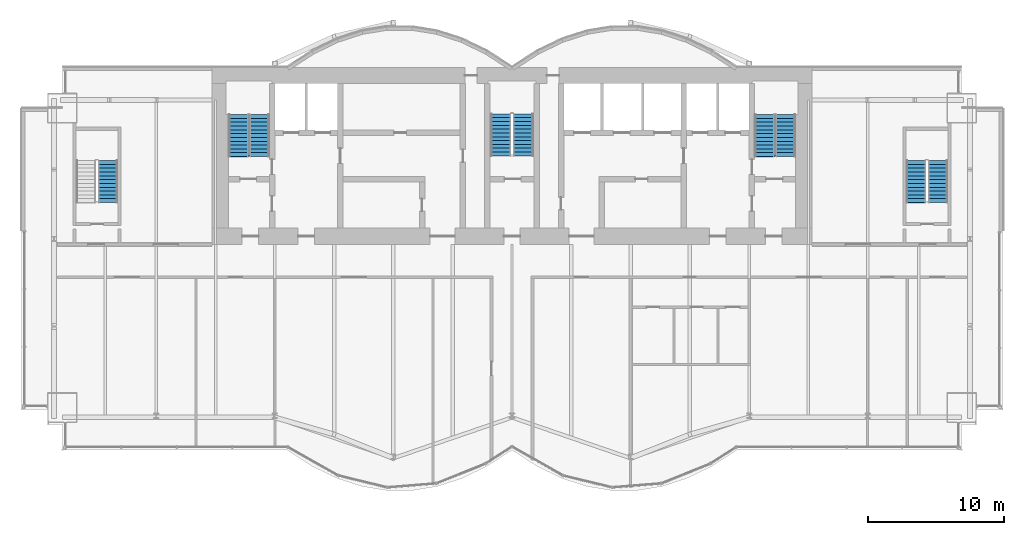
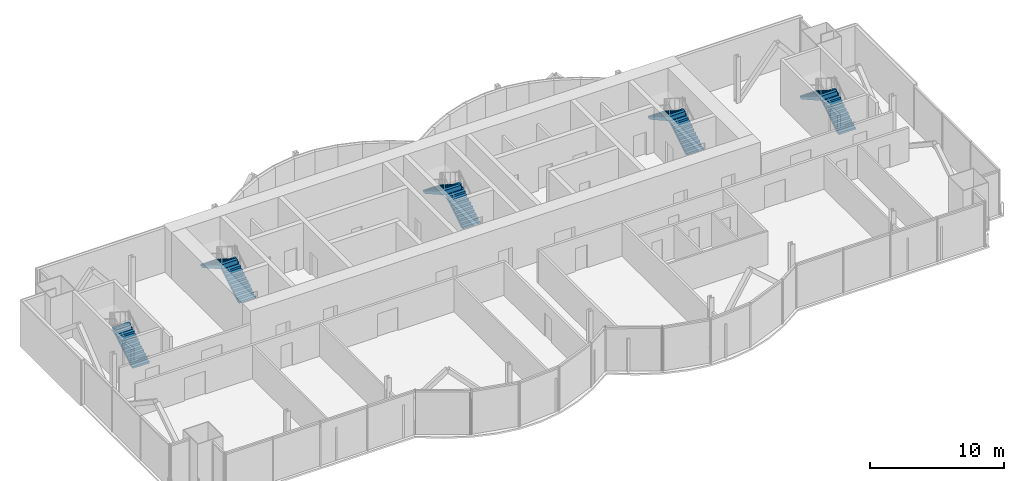
# One storey, part 16 of 19: 9 stair flights, 5 elements without a shape of their own.
"""IFC4 building model written with IfcOpenShell, lengths in metres."""

from ifc_helpers import new_model, si_unit, direction, frame, origin, place, context, subcontext, project, spatial, polyline, outline, extrude, material, type_object, element, aggregate, save


model = new_model("IFC4")

# Units and contexts
model_context = context("Model", 3, precision=1e-05, world=origin(), true_north=direction((0.0, 1.0)))
body_context = subcontext(model_context, "Body", "Model", "MODEL_VIEW")
ifc_project = project(units=[si_unit("LENGTHUNIT", "METRE"), si_unit("AREAUNIT", "SQUARE_METRE"), si_unit("VOLUMEUNIT", "CUBIC_METRE"), si_unit("PLANEANGLEUNIT", "RADIAN"), si_unit("MASSUNIT", "GRAM", prefix="KILO")], contexts=[model_context])

# Site, building, storey
site_placement = place(None, origin())
site = spatial("IfcSite", under=ifc_project, at=site_placement, CompositionType="ELEMENT")
building_placement = place(site_placement, origin())
building = spatial("IfcBuilding", under=site, at=building_placement, Name="Bicima Exchange Tower", CompositionType="ELEMENT")
storey_placement = place(building_placement, frame((0.0, 0.0, 279.199951171875)))
storey = spatial("IfcBuildingStorey", under=building, at=storey_placement, Name="L63", CompositionType="ELEMENT", Elevation=279.199951171875)

# Stair, stair flights
ifc_material = material(Name="Concrete C50/60", Category="concrete")
stair_type_1 = type_object("IfcStairType", Name="Exit stair", PredefinedType="HALF_TURN_STAIR", material=ifc_material)
stair_1_placement = place(storey_placement, origin())
stair_1 = element("IfcStair", 1, at=stair_1_placement, inside=storey, type_object=stair_type_1, Name="L63 West exit stair", PredefinedType="HALF_TURN_STAIR")
stair_flight_type_1 = type_object("IfcStairFlightType", Name="Stair flight RC", PredefinedType="STRAIGHT", material=ifc_material)
stair_flight_1_placement = place(storey_placement, frame((-18.52490234375, -6.550048828125, 0.0), z_axis=(0.0, 0.0, 1.0), x_axis=(0.0, 1.0, 0.0)))
stair_flight_1 = element("IfcStairFlight", 2, at=stair_flight_1_placement, type_object=stair_flight_type_1, Name="ST-W flight 1", NumberOfRisers=12, NumberOfTreads=11, PredefinedType="STRAIGHT", RiserHeight=0.175, TreadLength=0.28, context=body_context, shape_type="SweptSolid", body=[
    extrude(outline(polyline([(0.0, 0.0), (0.0, 0.175048828125), (0.280029296875, 0.175048828125), (0.280029296875, 0.35009765625), (0.56005859375, 0.35009765625), (0.56005859375, 0.52490234375), (0.840087890625, 0.52490234375), (0.840087890625, 0.699951171875), (1.1201171875, 0.699951171875), (1.1201171875, 0.875), (1.39990234375, 0.875), (1.39990234375, 1.050048828125), (1.679931640625, 1.050048828125), (1.679931640625, 1.22509765625), (1.9599609375, 1.22509765625), (1.9599609375, 1.39990234375), (2.239990234375, 1.39990234375), (2.239990234375, 1.574951171875), (2.52001953125, 1.574951171875), (2.52001953125, 1.75), (2.800048828125, 1.75), (2.800048828125, 1.925048828125), (3.080078125, 1.925048828125), (3.080078125, 2.10009765625), (3.080078125, 1.748291015625), (0.28271484375, 0.0), (0.0, 0.0)])), frame((0.0, 0.72509765625, 0.0), z_axis=(0.0, -1.0, 0.0), x_axis=(1.0, 0.0, 0.0)), (0.0, 0.0, 1.0), 1.449951171875),
])
stair_flight_2_placement = place(storey_placement, frame((-20.074951171875, -3.469970703125, 2.10009765625), z_axis=(0.0, 0.0, 1.0), x_axis=(0.0, -1.0, 0.0)))
stair_flight_2 = element("IfcStairFlight", 3, at=stair_flight_2_placement, type_object=stair_flight_type_1, Name="ST-W flight 2", NumberOfRisers=12, NumberOfTreads=11, PredefinedType="STRAIGHT", RiserHeight=0.175, TreadLength=0.28, context=body_context, shape_type="SweptSolid", body=[
    extrude(outline(polyline([(0.0, 0.0), (0.0, 0.175048828125), (0.280029296875, 0.175048828125), (0.280029296875, 0.35009765625), (0.56005859375, 0.35009765625), (0.56005859375, 0.52490234375), (0.840087890625, 0.52490234375), (0.840087890625, 0.699951171875), (1.1201171875, 0.699951171875), (1.1201171875, 0.875), (1.39990234375, 0.875), (1.39990234375, 1.050048828125), (1.679931640625, 1.050048828125), (1.679931640625, 1.22509765625), (1.9599609375, 1.22509765625), (1.9599609375, 1.39990234375), (2.239990234375, 1.39990234375), (2.239990234375, 1.574951171875), (2.52001953125, 1.574951171875), (2.52001953125, 1.75), (2.800048828125, 1.75), (2.800048828125, 1.925048828125), (3.080078125, 1.925048828125), (3.080078125, 1.9541015625), (3.094970703125, 1.9541015625), (3.094970703125, 1.58251953125), (0.28271484375, 0.0), (0.0, 0.0)])), frame((0.0, 0.72509765625, 0.0), z_axis=(0.0, -1.0, 0.0), x_axis=(1.0, 0.0, 0.0)), (0.0, 0.0, 1.0), 1.449951171875),
])
aggregate(stair_1, [stair_flight_1, stair_flight_2])

stair_2_placement = place(storey_placement, origin())
stair_2 = element("IfcStair", 4, at=stair_2_placement, inside=storey, type_object=stair_type_1, Name="L63 East exit stair", PredefinedType="HALF_TURN_STAIR")
stair_flight_3_placement = place(storey_placement, frame((20.074951171875, -6.550048828125, 0.0), z_axis=(0.0, 0.0, 1.0), x_axis=(0.0, 1.0, 0.0)))
stair_flight_3 = element("IfcStairFlight", 5, at=stair_flight_3_placement, type_object=stair_flight_type_1, Name="ST-E flight 1", NumberOfRisers=12, NumberOfTreads=11, PredefinedType="STRAIGHT", RiserHeight=0.175, TreadLength=0.28, context=body_context, shape_type="SweptSolid", body=[
    extrude(outline(polyline([(0.0, 0.0), (0.0, 0.175048828125), (0.280029296875, 0.175048828125), (0.280029296875, 0.35009765625), (0.56005859375, 0.35009765625), (0.56005859375, 0.52490234375), (0.840087890625, 0.52490234375), (0.840087890625, 0.699951171875), (1.1201171875, 0.699951171875), (1.1201171875, 0.875), (1.39990234375, 0.875), (1.39990234375, 1.050048828125), (1.679931640625, 1.050048828125), (1.679931640625, 1.22509765625), (1.9599609375, 1.22509765625), (1.9599609375, 1.39990234375), (2.239990234375, 1.39990234375), (2.239990234375, 1.574951171875), (2.52001953125, 1.574951171875), (2.52001953125, 1.75), (2.800048828125, 1.75), (2.800048828125, 1.925048828125), (3.080078125, 1.925048828125), (3.080078125, 2.10009765625), (3.080078125, 1.748291015625), (0.28271484375, 0.0), (0.0, 0.0)])), frame((0.0, 0.72509765625, 0.0), z_axis=(0.0, -1.0, 0.0), x_axis=(1.0, 0.0, 0.0)), (0.0, 0.0, 1.0), 1.449951171875),
])
stair_flight_4_placement = place(storey_placement, frame((18.52490234375, -3.469970703125, 2.10009765625), z_axis=(0.0, 0.0, 1.0), x_axis=(0.0, -1.0, 0.0)))
stair_flight_4 = element("IfcStairFlight", 6, at=stair_flight_4_placement, type_object=stair_flight_type_1, Name="ST-E flight 2", NumberOfRisers=12, NumberOfTreads=11, PredefinedType="STRAIGHT", RiserHeight=0.175, TreadLength=0.28, context=body_context, shape_type="SweptSolid", body=[
    extrude(outline(polyline([(0.0, 0.0), (0.0, 0.175048828125), (0.280029296875, 0.175048828125), (0.280029296875, 0.35009765625), (0.56005859375, 0.35009765625), (0.56005859375, 0.52490234375), (0.840087890625, 0.52490234375), (0.840087890625, 0.699951171875), (1.1201171875, 0.699951171875), (1.1201171875, 0.875), (1.39990234375, 0.875), (1.39990234375, 1.050048828125), (1.679931640625, 1.050048828125), (1.679931640625, 1.22509765625), (1.9599609375, 1.22509765625), (1.9599609375, 1.39990234375), (2.239990234375, 1.39990234375), (2.239990234375, 1.574951171875), (2.52001953125, 1.574951171875), (2.52001953125, 1.75), (2.800048828125, 1.75), (2.800048828125, 1.925048828125), (3.080078125, 1.925048828125), (3.080078125, 1.9541015625), (3.094970703125, 1.9541015625), (3.094970703125, 1.58251953125), (0.28271484375, 0.0), (0.0, 0.0)])), frame((0.0, 0.72509765625, 0.0), z_axis=(0.0, -1.0, 0.0), x_axis=(1.0, 0.0, 0.0)), (0.0, 0.0, 1.0), 1.449951171875),
])
aggregate(stair_2, [stair_flight_3, stair_flight_4])

# Stair, stair flight
stair_3_placement = place(storey_placement, origin())
stair_3 = element("IfcStair", 7, at=stair_3_placement, inside=storey, type_object=stair_type_1, Name="L63 West end exit stair", PredefinedType="HALF_TURN_STAIR")
stair_flight_5_placement = place(storey_placement, frame((-29.64990234375, -9.925048828125, 0.0), z_axis=(0.0, 0.0, 1.0), x_axis=(0.0, 1.0, 0.0)))
stair_flight_5 = element("IfcStairFlight", 8, at=stair_flight_5_placement, type_object=stair_flight_type_1, Name="ST-WW flight 1", NumberOfRisers=12, NumberOfTreads=11, PredefinedType="STRAIGHT", RiserHeight=0.175, TreadLength=0.28, context=body_context, shape_type="SweptSolid", body=[
    extrude(outline(polyline([(0.0, 0.0), (0.0, 0.175048828125), (0.280029296875, 0.175048828125), (0.280029296875, 0.35009765625), (0.56005859375, 0.35009765625), (0.56005859375, 0.52490234375), (0.840087890625, 0.52490234375), (0.840087890625, 0.699951171875), (1.1201171875, 0.699951171875), (1.1201171875, 0.875), (1.39990234375, 0.875), (1.39990234375, 1.050048828125), (1.679931640625, 1.050048828125), (1.679931640625, 1.22509765625), (1.9599609375, 1.22509765625), (1.9599609375, 1.39990234375), (2.239990234375, 1.39990234375), (2.239990234375, 1.574951171875), (2.52001953125, 1.574951171875), (2.52001953125, 1.75), (2.800048828125, 1.75), (2.800048828125, 1.925048828125), (3.080078125, 1.925048828125), (3.080078125, 2.10009765625), (3.080078125, 1.748291015625), (0.28271484375, 0.0), (0.0, 0.0)])), frame((0.0, 0.72509765625, 0.0), z_axis=(0.0, -1.0, 0.0), x_axis=(1.0, 0.0, 0.0)), (0.0, 0.0, 1.0), 1.449951171875),
])
aggregate(stair_3, [stair_flight_5])

# Stair, stair flights
stair_4_placement = place(storey_placement, origin())
stair_4 = element("IfcStair", 9, at=stair_4_placement, inside=storey, type_object=stair_type_1, Name="L63 East end exit stair", PredefinedType="HALF_TURN_STAIR")
stair_flight_6_placement = place(storey_placement, frame((31.25, -9.925048828125, 0.0), z_axis=(0.0, 0.0, 1.0), x_axis=(0.0, 1.0, 0.0)))
stair_flight_6 = element("IfcStairFlight", 10, at=stair_flight_6_placement, type_object=stair_flight_type_1, Name="ST-EE flight 1", NumberOfRisers=12, NumberOfTreads=11, PredefinedType="STRAIGHT", RiserHeight=0.175, TreadLength=0.28, context=body_context, shape_type="SweptSolid", body=[
    extrude(outline(polyline([(0.0, 0.0), (0.0, 0.175048828125), (0.280029296875, 0.175048828125), (0.280029296875, 0.35009765625), (0.56005859375, 0.35009765625), (0.56005859375, 0.52490234375), (0.840087890625, 0.52490234375), (0.840087890625, 0.699951171875), (1.1201171875, 0.699951171875), (1.1201171875, 0.875), (1.39990234375, 0.875), (1.39990234375, 1.050048828125), (1.679931640625, 1.050048828125), (1.679931640625, 1.22509765625), (1.9599609375, 1.22509765625), (1.9599609375, 1.39990234375), (2.239990234375, 1.39990234375), (2.239990234375, 1.574951171875), (2.52001953125, 1.574951171875), (2.52001953125, 1.75), (2.800048828125, 1.75), (2.800048828125, 1.925048828125), (3.080078125, 1.925048828125), (3.080078125, 2.10009765625), (3.080078125, 1.748291015625), (0.28271484375, 0.0), (0.0, 0.0)])), frame((0.0, 0.72509765625, 0.0), z_axis=(0.0, -1.0, 0.0), x_axis=(1.0, 0.0, 0.0)), (0.0, 0.0, 1.0), 1.449951171875),
])
stair_flight_7_placement = place(storey_placement, frame((29.64990234375, -6.844970703125, 2.10009765625), z_axis=(0.0, 0.0, 1.0), x_axis=(0.0, -1.0, 0.0)))
stair_flight_7 = element("IfcStairFlight", 11, at=stair_flight_7_placement, type_object=stair_flight_type_1, Name="ST-EE flight 2", NumberOfRisers=12, NumberOfTreads=11, PredefinedType="STRAIGHT", RiserHeight=0.175, TreadLength=0.28, context=body_context, shape_type="SweptSolid", body=[
    extrude(outline(polyline([(0.0, 0.0), (0.0, 0.175048828125), (0.280029296875, 0.175048828125), (0.280029296875, 0.35009765625), (0.56005859375, 0.35009765625), (0.56005859375, 0.52490234375), (0.840087890625, 0.52490234375), (0.840087890625, 0.699951171875), (1.1201171875, 0.699951171875), (1.1201171875, 0.875), (1.39990234375, 0.875), (1.39990234375, 1.050048828125), (1.679931640625, 1.050048828125), (1.679931640625, 1.22509765625), (1.9599609375, 1.22509765625), (1.9599609375, 1.39990234375), (2.239990234375, 1.39990234375), (2.239990234375, 1.574951171875), (2.52001953125, 1.574951171875), (2.52001953125, 1.75), (2.800048828125, 1.75), (2.800048828125, 1.925048828125), (3.080078125, 1.925048828125), (3.080078125, 1.9541015625), (3.094970703125, 1.9541015625), (3.094970703125, 1.58251953125), (0.28271484375, 0.0), (0.0, 0.0)])), frame((0.0, 0.72509765625, 0.0), z_axis=(0.0, -1.0, 0.0), x_axis=(1.0, 0.0, 0.0)), (0.0, 0.0, 1.0), 1.449951171875),
])
aggregate(stair_4, [stair_flight_6, stair_flight_7])

stair_type_2 = type_object("IfcStairType", Name="Exit stair 1500", PredefinedType="HALF_TURN_STAIR", material=ifc_material)
stair_5_placement = place(storey_placement, origin())
stair_5 = element("IfcStair", 12, at=stair_5_placement, inside=storey, type_object=stair_type_2, Name="L63 Central exit stair", PredefinedType="HALF_TURN_STAIR")
stair_flight_type_2 = type_object("IfcStairFlightType", Name="Stair flight RC 1500", PredefinedType="STRAIGHT", material=ifc_material)
stair_flight_8_placement = place(storey_placement, frame((0.824951171875, -6.5, 0.0), z_axis=(0.0, 0.0, 1.0), x_axis=(0.0, 1.0, 0.0)))
stair_flight_8 = element("IfcStairFlight", 13, at=stair_flight_8_placement, type_object=stair_flight_type_2, Name="ST-C flight 1", NumberOfRisers=12, NumberOfTreads=11, PredefinedType="STRAIGHT", RiserHeight=0.175, TreadLength=0.28, context=body_context, shape_type="SweptSolid", body=[
    extrude(outline(polyline([(0.0, 0.0), (0.0, 0.175048828125), (0.280029296875, 0.175048828125), (0.280029296875, 0.35009765625), (0.56005859375, 0.35009765625), (0.56005859375, 0.52490234375), (0.840087890625, 0.52490234375), (0.840087890625, 0.699951171875), (1.1201171875, 0.699951171875), (1.1201171875, 0.875), (1.39990234375, 0.875), (1.39990234375, 1.050048828125), (1.679931640625, 1.050048828125), (1.679931640625, 1.22509765625), (1.9599609375, 1.22509765625), (1.9599609375, 1.39990234375), (2.239990234375, 1.39990234375), (2.239990234375, 1.574951171875), (2.52001953125, 1.574951171875), (2.52001953125, 1.75), (2.800048828125, 1.75), (2.800048828125, 1.925048828125), (3.080078125, 1.925048828125), (3.080078125, 2.10009765625), (3.080078125, 1.748291015625), (0.28271484375, 0.0), (0.0, 0.0)])), frame((0.0, 0.75, 0.0), z_axis=(0.0, -1.0, 0.0), x_axis=(1.0, 0.0, 0.0)), (0.0, 0.0, 1.0), 1.5),
])
stair_flight_9_placement = place(storey_placement, frame((-0.824951171875, -3.419921875, 2.10009765625), z_axis=(0.0, 0.0, 1.0), x_axis=(0.0, -1.0, 0.0)))
stair_flight_9 = element("IfcStairFlight", 14, at=stair_flight_9_placement, type_object=stair_flight_type_2, Name="ST-C flight 2", NumberOfRisers=12, NumberOfTreads=11, PredefinedType="STRAIGHT", RiserHeight=0.175, TreadLength=0.28, context=body_context, shape_type="SweptSolid", body=[
    extrude(outline(polyline([(0.0, 0.0), (0.0, 0.175048828125), (0.280029296875, 0.175048828125), (0.280029296875, 0.35009765625), (0.56005859375, 0.35009765625), (0.56005859375, 0.52490234375), (0.840087890625, 0.52490234375), (0.840087890625, 0.699951171875), (1.1201171875, 0.699951171875), (1.1201171875, 0.875), (1.39990234375, 0.875), (1.39990234375, 1.050048828125), (1.679931640625, 1.050048828125), (1.679931640625, 1.22509765625), (1.9599609375, 1.22509765625), (1.9599609375, 1.39990234375), (2.239990234375, 1.39990234375), (2.239990234375, 1.574951171875), (2.52001953125, 1.574951171875), (2.52001953125, 1.75), (2.800048828125, 1.75), (2.800048828125, 1.925048828125), (3.080078125, 1.925048828125), (3.080078125, 1.9541015625), (3.094970703125, 1.9541015625), (3.094970703125, 1.58251953125), (0.28271484375, 0.0), (0.0, 0.0)])), frame((0.0, 0.75, 0.0), z_axis=(0.0, -1.0, 0.0), x_axis=(1.0, 0.0, 0.0)), (0.0, 0.0, 1.0), 1.5),
])
aggregate(stair_5, [stair_flight_8, stair_flight_9])

save(model, "model.ifc")
